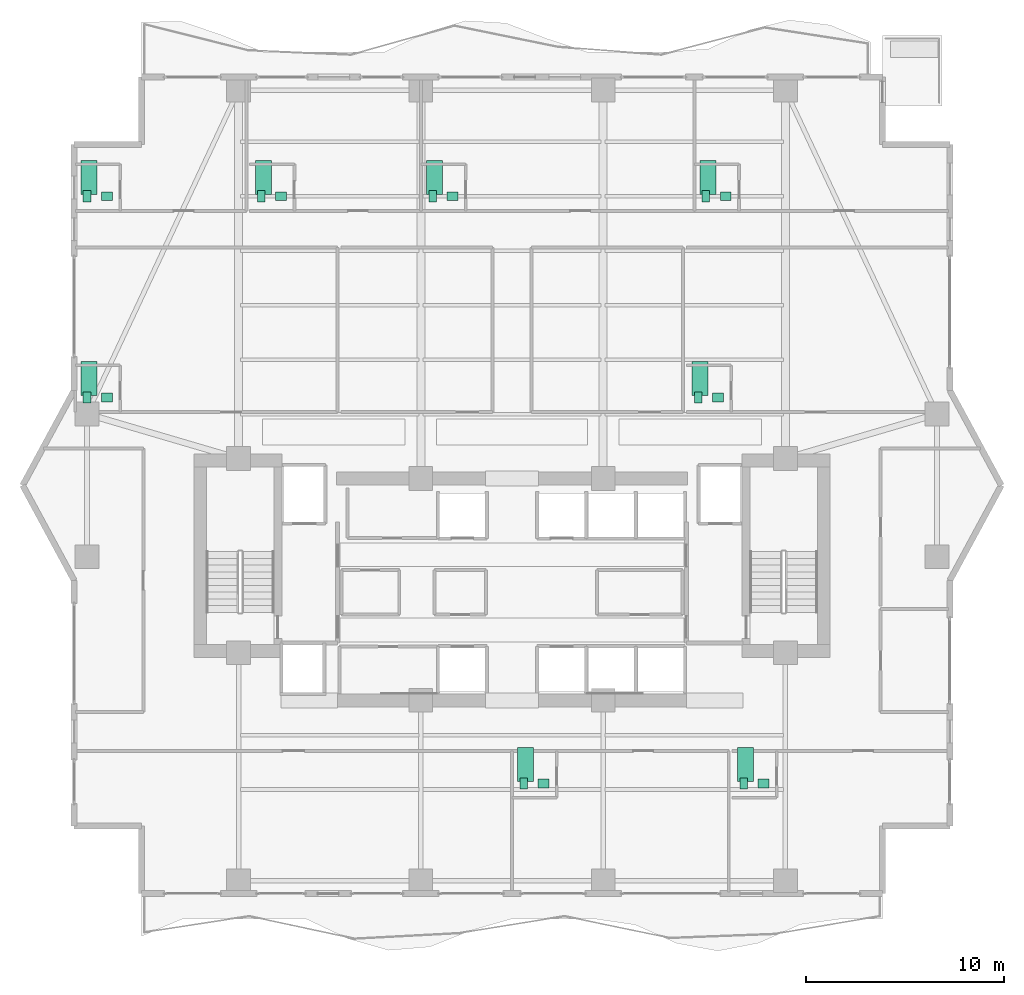
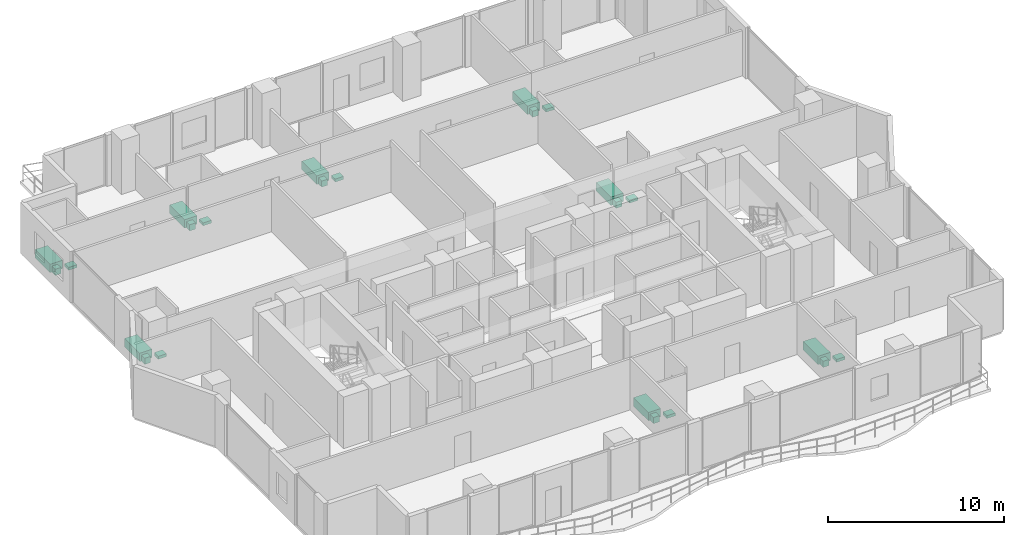
# One storey, part 33 of 33: 24 sanitary terminals.
"""IFC4 building model written with IfcOpenShell, lengths in metres."""

from ifc_helpers import new_model, si_unit, direction, frame, origin, origin_2d, place, context, subcontext, project, spatial, rectangle, extrude, material, type_object, element, save


model = new_model("IFC4")

# Units and contexts
model_context = context("Model", 3, precision=1e-05, world=origin(), true_north=direction((0.0, 1.0)))
body_context = subcontext(model_context, "Body", "Model", "MODEL_VIEW")
ifc_project = project(units=[si_unit("LENGTHUNIT", "METRE"), si_unit("AREAUNIT", "SQUARE_METRE"), si_unit("VOLUMEUNIT", "CUBIC_METRE"), si_unit("PLANEANGLEUNIT", "RADIAN"), si_unit("MASSUNIT", "GRAM", prefix="KILO")], contexts=[model_context])

# Site, building, storey
site_placement = place(None, origin())
site = spatial("IfcSite", under=ifc_project, at=site_placement, CompositionType="ELEMENT")
building_placement = place(site_placement, origin())
building = spatial("IfcBuilding", under=site, at=building_placement, Name="Zuhayl Quay Hotel", CompositionType="ELEMENT")
storey_placement = place(building_placement, frame((0.0, 0.0, 211.14990234375)))
storey = spatial("IfcBuildingStorey", under=building, at=storey_placement, Name="L53", CompositionType="ELEMENT", Elevation=211.14990234375)

# Sanitary terminals
ifc_material = material(Name="Vitreous Porcelain Sanitaryware")
sanitary_terminal_type_1 = type_object("IfcSanitaryTerminalType", Name="SAN_BASIN", PredefinedType="WASHHANDBASIN", material=ifc_material)
for number, where, z_axis, x_axis, name in (
    (1, (-20.449951171875, 27.590087890625, 0.0), (0.0, 0.0, 1.0), (1.0, 0.0, 0.0), "L53 Sanitary Fixture WASHHANDBASIN"),
    (2, (-11.64990234375, 27.590087890625, 0.0), (0.0, 0.0, 1.0), (1.0, 0.0, 0.0), "L53 Sanitary Fixture WASHHANDBASIN"),
    (3, (-3.010009765625, 27.590087890625, 0.0), (0.0, 0.0, 1.0), (1.0, 0.0, 0.0), "L53 Sanitary Fixture WASHHANDBASIN"),
    (4, (10.7900390625, 27.590087890625, 0.0), (0.0, 0.0, 1.0), (1.0, 0.0, 0.0), "L53 Sanitary Fixture WASHHANDBASIN"),
    (5, (-20.449951171875, 17.43994140625, 0.0), (0.0, 0.0, 1.0), (1.0, 0.0, 0.0), "L53 Sanitary Fixture WASHHANDBASIN"),
    (6, (10.389892578125, 17.43994140625, 0.0), (0.0, 0.0, 1.0), (1.0, 0.0, 0.0), "L53 Sanitary Fixture WASHHANDBASIN"),
    (7, (1.590087890625, -2.0400390625, 0.0), (0.0, 0.0, 1.0), (1.0, 0.0, 0.0), "L53 Sanitary Fixture WASHHANDBASIN"),
    (8, (12.68994140625, -2.0400390625, 0.0), (0.0, 0.0, 1.0), (1.0, 0.0, 0.0), "L53 Sanitary Fixture WASHHANDBASIN"),
):
    element("IfcSanitaryTerminal", number, at=place(storey_placement, frame(where, z_axis=z_axis, x_axis=x_axis)), inside=storey, type_object=sanitary_terminal_type_1, Name=name, PredefinedType="WASHHANDBASIN", context=body_context, shape_type="SweptSolid", body=[
        extrude(rectangle(XDim=0.550048828125, YDim=0.449951171875, at=origin_2d()), origin(), (0.0, 0.0, 1.0), 0.199951171875),
    ])
sanitary_terminal_type_2 = type_object("IfcSanitaryTerminalType", Name="SAN_BATH", PredefinedType="BATH", material=ifc_material)
for number, where, z_axis, x_axis, name in (
    (9, (-21.35009765625, 28.5400390625, 0.0), (0.0, 0.0, 1.0), (1.0, 0.0, 0.0), "L53 Sanitary Fixture BATH"),
    (10, (-12.550048828125, 28.5400390625, 0.0), (0.0, 0.0, 1.0), (1.0, 0.0, 0.0), "L53 Sanitary Fixture BATH"),
    (11, (-3.909912109375, 28.5400390625, 0.0), (0.0, 0.0, 1.0), (1.0, 0.0, 0.0), "L53 Sanitary Fixture BATH"),
    (12, (9.889892578125, 28.5400390625, 0.0), (0.0, 0.0, 1.0), (1.0, 0.0, 0.0), "L53 Sanitary Fixture BATH"),
    (13, (-21.35009765625, 18.389892578125, 0.0), (0.0, 0.0, 1.0), (1.0, 0.0, 0.0), "L53 Sanitary Fixture BATH"),
    (14, (9.489990234375, 18.389892578125, 0.0), (0.0, 0.0, 1.0), (1.0, 0.0, 0.0), "L53 Sanitary Fixture BATH"),
    (15, (0.68994140625, -1.090087890625, 0.0), (0.0, 0.0, 1.0), (1.0, 0.0, 0.0), "L53 Sanitary Fixture BATH"),
    (16, (11.7900390625, -1.090087890625, 0.0), (0.0, 0.0, 1.0), (1.0, 0.0, 0.0), "L53 Sanitary Fixture BATH"),
):
    element("IfcSanitaryTerminal", number, at=place(storey_placement, frame(where, z_axis=z_axis, x_axis=x_axis)), inside=storey, type_object=sanitary_terminal_type_2, Name=name, PredefinedType="BATH", context=body_context, shape_type="SweptSolid", body=[
        extrude(rectangle(XDim=0.800048828125, YDim=1.699951171875, at=origin_2d()), origin(), (0.0, 0.0, 1.0), 0.580078125),
    ])
sanitary_terminal_type_3 = type_object("IfcSanitaryTerminalType", Name="SAN_WC", PredefinedType="TOILETPAN", material=ifc_material)
for number, where, z_axis, x_axis, name in (
    (17, (-21.449951171875, 27.590087890625, 0.000244140625), (0.0, 0.0, 1.0), (1.0, 0.0, 0.0), "L53 Sanitary Fixture TOILETPAN"),
    (18, (-12.64990234375, 27.590087890625, 0.000244140625), (0.0, 0.0, 1.0), (1.0, 0.0, 0.0), "L53 Sanitary Fixture TOILETPAN"),
    (19, (-4.010009765625, 27.590087890625, 0.000244140625), (0.0, 0.0, 1.0), (1.0, 0.0, 0.0), "L53 Sanitary Fixture TOILETPAN"),
    (20, (9.7900390625, 27.590087890625, 0.000244140625), (0.0, 0.0, 1.0), (1.0, 0.0, 0.0), "L53 Sanitary Fixture TOILETPAN"),
    (21, (-21.449951171875, 17.43994140625, 0.000244140625), (0.0, 0.0, 1.0), (1.0, 0.0, 0.0), "L53 Sanitary Fixture TOILETPAN"),
    (22, (9.389892578125, 17.43994140625, 0.000244140625), (0.0, 0.0, 1.0), (1.0, 0.0, 0.0), "L53 Sanitary Fixture TOILETPAN"),
    (23, (0.590087890625, -2.0400390625, 0.000244140625), (0.0, 0.0, 1.0), (1.0, 0.0, 0.0), "L53 Sanitary Fixture TOILETPAN"),
    (24, (11.68994140625, -2.0400390625, 0.000244140625), (0.0, 0.0, 1.0), (1.0, 0.0, 0.0), "L53 Sanitary Fixture TOILETPAN"),
):
    element("IfcSanitaryTerminal", number, at=place(storey_placement, frame(where, z_axis=z_axis, x_axis=x_axis)), inside=storey, type_object=sanitary_terminal_type_3, Name=name, PredefinedType="TOILETPAN", context=body_context, shape_type="SweptSolid", body=[
        extrude(rectangle(XDim=0.3798828125, YDim=0.56005859375, at=origin_2d()), origin(), (0.0, 0.0, 1.0), 0.419921875),
    ])

save(model, "model.ifc")
